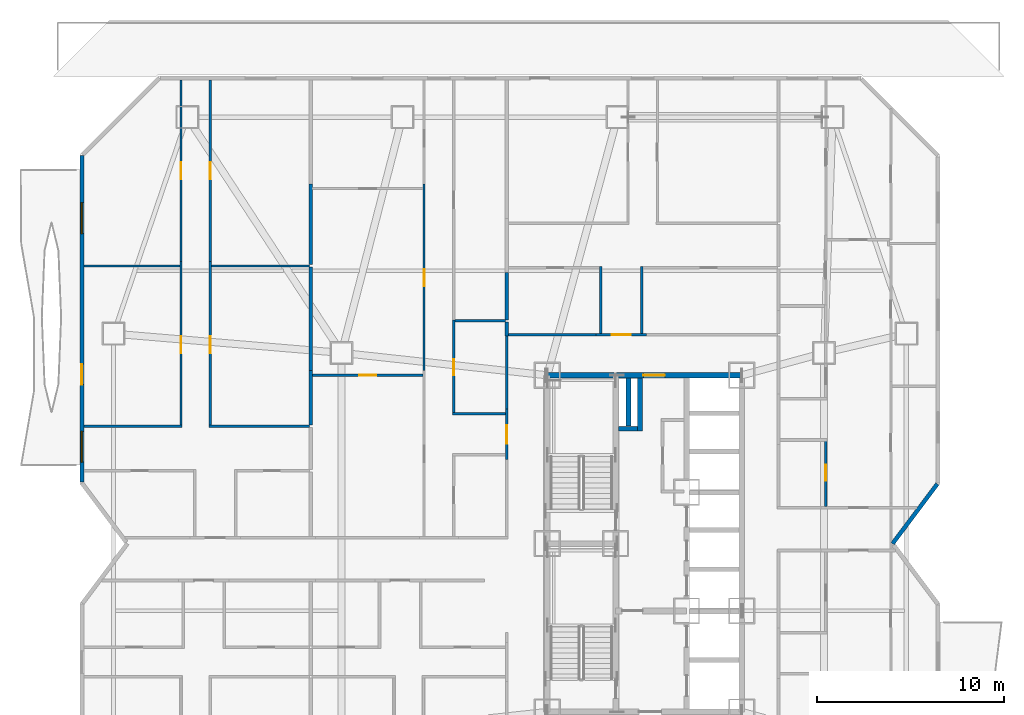
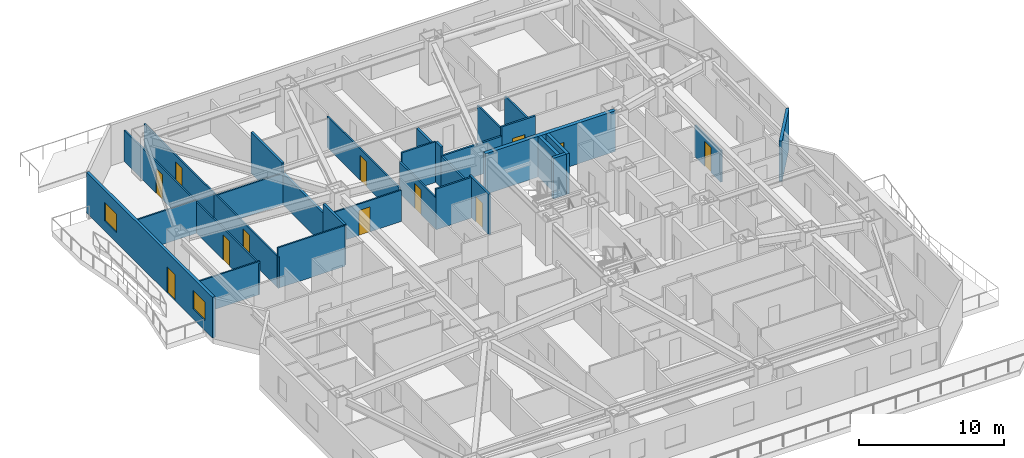
# One storey, part 13 of 18: 31 walls, 12 doors, 2 windows, 14 openings.
"""IFC4 building model written with IfcOpenShell, lengths in metres."""

import ifcopenshell
import ifcopenshell.guid

model = None  # the IFC model being written
_history = None  # IfcOwnerHistory: only IFC2X3 demands one
_inside = {}  # id of a spatial element -> (the spatial element, [elements in it])
_under = {}  # id of a project, library or spatial element -> (it, [spatial elements below it])
_declared = {}  # id of a project -> (the project, [libraries it declares])
_typed = {}  # id of a type object -> (the type object, [elements of that type])
_made_of = {}  # id of a material, layer set ... -> (it, [elements and type objects made of it])


def new_model(schema):
    """Start an empty IFC model of exactly this schema.

    Asked for "IFC4X3", IfcOpenShell would pick the latest addendum, in which some entities
    have other attributes; the version numbers below select the first issue.
    IFC2X3 requires an IfcOwnerHistory on every rooted entity: one is made here for all.
    """
    global model, _history
    if schema == "IFC4X3":
        model = ifcopenshell.file(schema_version=(4, 3, 0, 0))
    else:
        model = ifcopenshell.file(schema=schema)
    _inside.clear()
    _under.clear()
    _declared.clear()
    _typed.clear()
    _made_of.clear()
    _history = None
    if model.schema == "IFC2X3":
        org = make("IfcOrganization", Name="unknown")
        user = make(
            "IfcPersonAndOrganization",
            ThePerson=make("IfcPerson", FamilyName="unknown"),
            TheOrganization=org,
        )
        app = make(
            "IfcApplication",
            ApplicationDeveloper=org,
            Version="unknown",
            ApplicationFullName="unknown",
            ApplicationIdentifier="unknown",
        )
        _history = make(
            "IfcOwnerHistory",
            OwningUser=user,
            OwningApplication=app,
            ChangeAction="ADDED",
            CreationDate=0,
        )
    return model


def make(cls, **values):
    """One entity of the class cls with the attributes given. An attribute that is None is left unset."""
    return model.create_entity(
        cls, **{name: value for name, value in values.items() if value is not None}
    )


def rooted(cls, **values):
    """An entity with a GlobalId (a new one), such as an element, a storey or a relation."""
    return make(cls, GlobalId=ifcopenshell.guid.new(), OwnerHistory=_history, **values)


def si_unit(unit_type, name, prefix=None):
    """IfcSIUnit, for example si_unit("LENGTHUNIT", "METRE", prefix="MILLI")."""
    return make("IfcSIUnit", UnitType=unit_type, Prefix=prefix, Name=name)


def assignment(units):
    """IfcUnitAssignment: the units of a project."""
    return None if units is None else make("IfcUnitAssignment", Units=units)


def point(xyz):
    """IfcCartesianPoint."""
    return None if xyz is None else make("IfcCartesianPoint", Coordinates=xyz)


def direction(xyz):
    """IfcDirection."""
    return None if xyz is None else make("IfcDirection", DirectionRatios=xyz)


def frame(location, z_axis=None, x_axis=None):
    """IfcAxis2Placement3D, a coordinate frame: its origin and axes. An axis left out is left unset."""
    return make(
        "IfcAxis2Placement3D",
        Location=point(location),
        Axis=direction(z_axis),
        RefDirection=direction(x_axis),
    )


def frame_2d(location, x_axis=None):
    """IfcAxis2Placement2D, a coordinate frame in the plane: its origin and x axis."""
    return make(
        "IfcAxis2Placement2D", Location=point(location), RefDirection=direction(x_axis)
    )


def origin():
    """The frame at (0, 0, 0) with its axes left unset."""
    return frame((0.0, 0.0, 0.0))


def place(relative_to, where):
    """IfcLocalPlacement: puts the frame where relative to a parent placement (None: the world)."""
    return make(
        "IfcLocalPlacement", PlacementRelTo=relative_to, RelativePlacement=where
    )


def context(
    kind, dimensions, precision=None, world=None, true_north=None, identifier=None
):
    """IfcGeometricRepresentationContext, for example the 3D "Model" context."""
    return make(
        "IfcGeometricRepresentationContext",
        ContextIdentifier=identifier,
        ContextType=kind,
        CoordinateSpaceDimension=dimensions,
        Precision=precision,
        WorldCoordinateSystem=world,
        TrueNorth=true_north,
    )


def subcontext(parent, identifier, kind, view, scale=None):
    """IfcGeometricRepresentationSubContext, for example "Body" below "Model"."""
    return make(
        "IfcGeometricRepresentationSubContext",
        ContextIdentifier=identifier,
        ContextType=kind,
        ParentContext=parent,
        TargetScale=scale,
        TargetView=view,
    )


def project(units=None, contexts=None):
    """IfcProject with its units and contexts."""
    return rooted(
        "IfcProject",
        Name="project",
        RepresentationContexts=contexts,
        UnitsInContext=assignment(units),
    )


def spatial(cls, under=None, at=None, **own):
    """A site, building, storey or space (cls), placed at a placement, below another one or the project."""
    s = rooted(cls, ObjectPlacement=at, **own)
    if under is not None:
        _under.setdefault(under.id(), (under, []))[1].append(s)
    return s


def profile(cls, at=None, kind="AREA", **sizes):
    """A parametric profile (cls). Its sizes go by their IFC names, for example OverallWidth=200.0."""
    return make(cls, ProfileType=kind, Position=at, **sizes)


def rectangle(**sizes):
    """IfcRectangleProfileDef."""
    return profile("IfcRectangleProfileDef", **sizes)


def extrude(swept, where, along, depth):
    """IfcExtrudedAreaSolid: the profile swept, set in the frame where, extruded along a direction by depth."""
    return make(
        "IfcExtrudedAreaSolid",
        SweptArea=swept,
        Position=where,
        ExtrudedDirection=direction(along),
        Depth=depth,
    )


def shape(context_of_items, identifier, shape_type, items):
    """IfcShapeRepresentation: the items that make up one representation, for example the "Body"."""
    return make(
        "IfcShapeRepresentation",
        ContextOfItems=context_of_items,
        RepresentationIdentifier=identifier,
        RepresentationType=shape_type,
        Items=items,
    )


def material(Name=None, Category=None):
    """IfcMaterial."""
    return make("IfcMaterial", Name=Name, Category=Category)


def layer(
    of_material, thickness, ventilated=None, Name=None, Category=None, Priority=None
):
    """IfcMaterialLayer: one layer of a wall or slab, of a material (None: an air gap)."""
    return make(
        "IfcMaterialLayer",
        Material=of_material,
        LayerThickness=thickness,
        IsVentilated=ventilated,
        Name=Name,
        Category=Category,
        Priority=Priority,
    )


def layer_set(layers, Name=None):
    """IfcMaterialLayerSet."""
    return make("IfcMaterialLayerSet", MaterialLayers=layers, LayerSetName=Name)


def made_of(thing, what):
    """Note that an element or type object is made of a material, layer set ...; save() writes the relation."""
    if what is not None:
        _made_of.setdefault(what.id(), (what, []))[1].append(thing)
    return thing


def type_object(cls, material=None, **own):
    """A type object (cls), such as IfcWallType, which elements share."""
    return made_of(rooted(cls, **own), material)


def element(
    cls,
    number,
    at=None,
    inside=None,
    cuts=None,
    type_object=None,
    material=None,
    context=None,
    identifier="Body",
    shape_type=None,
    held_by="IfcProductDefinitionShape",
    body=None,
    shapes=None,
    **own,
):
    """One element of the class cls, such as IfcWall. Its Tag is "e" and its number.

    at: its placement. inside: the storey or other place that contains it. cuts: it is an
    opening in that element (IfcRelVoidsElement). A single representation is given by context,
    identifier, shape_type and body (its items); several are given by shapes. held_by: the class
    of the entity that holds the representations. save() writes the other relations.
    """
    e = rooted(cls, Tag="e%d" % number, ObjectPlacement=at, **own)
    if body is not None:
        shapes = [shape(context, identifier, shape_type, body)]
    if shapes is not None:
        e.Representation = make(held_by, Representations=shapes)
    if inside is not None:
        _inside.setdefault(inside.id(), (inside, []))[1].append(e)
    if cuts is not None:
        rooted(
            "IfcRelVoidsElement", RelatingBuildingElement=cuts, RelatedOpeningElement=e
        )
    if type_object is not None:
        _typed.setdefault(type_object.id(), (type_object, []))[1].append(e)
    return made_of(e, material)


def fill(opening, filler):
    """IfcRelFillsElement: the door or window that sits in an opening."""
    return rooted(
        "IfcRelFillsElement",
        RelatingOpeningElement=opening,
        RelatedBuildingElement=filler,
    )


def aggregate(whole, parts):
    """IfcRelAggregates: a whole, such as a stair, and the parts it consists of."""
    return rooted("IfcRelAggregates", RelatingObject=whole, RelatedObjects=parts)


def save(model, path):
    """Write the relations noted so far, then the file.

    IfcRelAggregates (storeys below a building ...), IfcRelContainedInSpatialStructure (elements
    in a storey), IfcRelDefinesByType, IfcRelAssociatesMaterial and IfcRelDeclares: one each for
    every whole, place, type object, material and project.
    """
    for whole, parts in _under.values():
        aggregate(whole, parts)
    for where, things in _inside.values():
        rooted(
            "IfcRelContainedInSpatialStructure",
            RelatedElements=things,
            RelatingStructure=where,
        )
    for kind, things in _typed.values():
        rooted("IfcRelDefinesByType", RelatedObjects=things, RelatingType=kind)
    for what, things in _made_of.values():
        rooted("IfcRelAssociatesMaterial", RelatedObjects=things, RelatingMaterial=what)
    for by, libraries in _declared.values():
        rooted("IfcRelDeclares", RelatingContext=by, RelatedDefinitions=libraries)
    model.write(path)


model = new_model("IFC4")

# Units and contexts
model_context = context("Model", 3, precision=1e-05, world=origin(), true_north=direction((0.0, 1.0)))
body_context = subcontext(model_context, "Body", "Model", "MODEL_VIEW")
ifc_project = project(units=[si_unit("LENGTHUNIT", "METRE"), si_unit("AREAUNIT", "SQUARE_METRE"), si_unit("VOLUMEUNIT", "CUBIC_METRE"), si_unit("PLANEANGLEUNIT", "RADIAN"), si_unit("MASSUNIT", "GRAM", prefix="KILO")], contexts=[model_context])

# Site, building, storey
site_placement = place(None, origin())
site = spatial("IfcSite", under=ifc_project, at=site_placement, CompositionType="ELEMENT")
building_placement = place(site_placement, origin())
building = spatial("IfcBuilding", under=site, at=building_placement, Name="Khamvora Tower", CompositionType="ELEMENT")
storey_placement = place(building_placement, frame((0.0, 0.0, 33.300048828125)))
storey = spatial("IfcBuildingStorey", under=building, at=storey_placement, Name="L07", CompositionType="ELEMENT", Elevation=33.300048828125)

# Wall, opening, door
ifc_material_1 = material(Name="Concrete C50/60", Category="concrete")
ifc_layer_1 = layer(ifc_material_1, 0.300048828125)
ifc_layer_set_1 = layer_set([ifc_layer_1], Name="Concrete C50/60")
wall_type_1 = type_object("IfcWallType", Name="WAL-CORE-300", PredefinedType="SHEAR", material=ifc_layer_set_1)
wall_1_placement = place(storey_placement, frame((29.0, 37.0, 0.0), z_axis=(0.0, 0.0, 1.0), x_axis=(1.0, 0.0, 0.0)))
wall_1 = element("IfcWall", 1, at=wall_1_placement, inside=storey, type_object=wall_type_1, Name="L07 central core north wall", PredefinedType="SHEAR", context=body_context, shape_type="SweptSolid", body=[
    extrude(rectangle(XDim=10.39990234375, YDim=0.300048828125, at=frame_2d((5.199951171875, 0.0))), origin(), (0.0, 0.0, 1.0), 3.429931640625),
])
opening_1_placement = place(wall_1_placement, frame((5.139892578125, 0.0, 0.0)))
opening_1 = element("IfcOpeningElement", 2, at=opening_1_placement, cuts=wall_1, Name="Opening D-SC1", PredefinedType="OPENING", context=body_context, shape_type="SweptSolid", body=[
    extrude(rectangle(XDim=1.14990234375, YDim=2.199951171875, at=frame_2d((0.574951171875, 1.10009765625))), frame((0.0, 0.159912109375, 0.0), z_axis=(0.0, -1.0, 0.0), x_axis=(1.0, 0.0, 0.0)), (0.0, 0.0, 1.0), 0.320068359375),
])
ifc_material_2 = material(Name="Powder-Coated Steel and Hardwood Leaf", Category="steel")
door_type_1 = type_object("IfcDoorType", Name="DOR-SCHL-1150", OperationType="NOTDEFINED", PredefinedType="DOOR", material=ifc_material_2)
door_1_placement = place(opening_1_placement, origin())
door_1 = element("IfcDoor", 3, at=door_1_placement, inside=storey, type_object=door_type_1, Name="L07 north core lobby to corridor fire door", OperationType="SINGLE_SWING_RIGHT", OverallHeight=2.199951171875, OverallWidth=1.14990234375, PredefinedType="DOOR", context=body_context, shape_type="SweptSolid", body=[
    extrude(rectangle(XDim=1.14990234375, YDim=2.199951171875, at=frame_2d((0.574951171875, 1.10009765625))), frame((0.0, 0.02490234375, 0.0), z_axis=(0.0, -1.0, 0.0), x_axis=(1.0, 0.0, 0.0)), (0.0, 0.0, 1.0), 0.050048828125),
])
fill(opening_1, door_1)

ifc_material_3 = material(Name="Fire-Rated Drywall and Steel Stud", Category="steel")
ifc_layer_2 = layer(ifc_material_3, 0.14990234375)
ifc_layer_set_2 = layer_set([ifc_layer_2], Name="Fire-Rated Drywall and Steel Stud")
wall_type_2 = type_object("IfcWallType", Name="WAL-CORR-150", PredefinedType="STANDARD", material=ifc_layer_set_2)
wall_2_placement = place(storey_placement, frame((26.8349609375, 32.491943359375, 0.0), z_axis=(0.0, 0.0, 1.0), x_axis=(0.0, 1.0, 0.0)))
wall_2 = element("IfcWall", 4, at=wall_2_placement, inside=storey, type_object=wall_type_2, Name="L07 interior partition wall 017", PredefinedType="STANDARD", context=body_context, shape_type="SweptSolid", body=[
    extrude(rectangle(XDim=2.697998046875, YDim=0.14990234375, at=frame_2d((1.34912109375, 0.0))), origin(), (0.0, 0.0, 1.0), 3.429931640625),
])
opening_2_placement = place(wall_2_placement, frame((0.84912109375, 0.0, 0.0)))
opening_2 = element("IfcOpeningElement", 5, at=opening_2_placement, cuts=wall_2, Name="Opening D-U1", PredefinedType="OPENING", context=body_context, shape_type="SweptSolid", body=[
    extrude(rectangle(XDim=1.0, YDim=2.14990234375, at=frame_2d((0.5, 1.074951171875))), frame((0.0, 0.0849609375, 0.0), z_axis=(0.0, -1.0, 0.0), x_axis=(1.0, 0.0, 0.0)), (0.0, 0.0, 1.0), 0.169921875),
])
door_type_2 = type_object("IfcDoorType", Name="DOR-UNIT-1000", OperationType="NOTDEFINED", PredefinedType="DOOR", material=ifc_material_2)
door_2_placement = place(opening_2_placement, origin())
door_2 = element("IfcDoor", 6, at=door_2_placement, inside=storey, type_object=door_type_2, Name="L07 interior door COR-07WB2H", OperationType="SINGLE_SWING_LEFT", OverallHeight=2.14990234375, OverallWidth=1.0, PredefinedType="DOOR", context=body_context, shape_type="SweptSolid", body=[
    extrude(rectangle(XDim=1.0, YDim=2.14990234375, at=frame_2d((0.5, 1.074951171875))), frame((0.0, 0.02490234375, 0.0), z_axis=(0.0, -1.0, 0.0), x_axis=(1.0, 0.0, 0.0)), (0.0, 0.0, 1.0), 0.050048828125),
])
fill(opening_2, door_2)

# Wall
wall_3_placement = place(storey_placement, frame((26.8349609375, 35.18994140625, 0.0), z_axis=(0.0, 0.0, 1.0), x_axis=(0.0, 1.0, 0.0)))
element("IfcWall", 7, at=wall_3_placement, inside=storey, type_object=wall_type_2, Name="L07 interior partition wall 020", PredefinedType="STANDARD", context=body_context, shape_type="SweptSolid", body=[
    extrude(rectangle(XDim=3.91015625, YDim=0.14990234375, at=frame_2d((1.955078125, 0.0))), origin(), (0.0, 0.0, 1.0), 2.64697265625),
])

# Wall, opening, door
wall_4_placement = place(storey_placement, frame((31.60107421875, 39.1650390625, 0.0), z_axis=(0.0, 0.0, 1.0), x_axis=(1.0, 0.0, 0.0)))
wall_4 = element("IfcWall", 8, at=wall_4_placement, inside=storey, type_object=wall_type_2, Name="L07 interior partition wall 025", PredefinedType="STANDARD", context=body_context, shape_type="SweptSolid", body=[
    extrude(rectangle(XDim=2.697998046875, YDim=0.14990234375, at=frame_2d((1.34912109375, 0.0))), origin(), (0.0, 0.0, 1.0), 3.429931640625),
])
opening_3_placement = place(wall_4_placement, frame((0.84912109375, 0.0, 0.0)))
opening_3 = element("IfcOpeningElement", 9, at=opening_3_placement, cuts=wall_4, Name="Opening D-U1", PredefinedType="OPENING", context=body_context, shape_type="SweptSolid", body=[
    extrude(rectangle(XDim=1.0, YDim=2.14990234375, at=frame_2d((0.5, 1.074951171875))), frame((0.0, 0.0849609375, 0.0), z_axis=(0.0, -1.0, 0.0), x_axis=(1.0, 0.0, 0.0)), (0.0, 0.0, 1.0), 0.169921875),
])
door_3_placement = place(opening_3_placement, origin())
door_3 = element("IfcDoor", 10, at=door_3_placement, inside=storey, type_object=door_type_2, Name="L07 interior door COR-07NAH", OperationType="SINGLE_SWING_LEFT", OverallHeight=2.14990234375, OverallWidth=1.0, PredefinedType="DOOR", context=body_context, shape_type="SweptSolid", body=[
    extrude(rectangle(XDim=1.0, YDim=2.14990234375, at=frame_2d((0.5, 1.074951171875))), frame((0.0, 0.02490234375, 0.0), z_axis=(0.0, -1.0, 0.0), x_axis=(1.0, 0.0, 0.0)), (0.0, 0.0, 1.0), 0.050048828125),
])
fill(opening_3, door_3)

# Walls
wall_5_placement = place(storey_placement, frame((26.89990234375, 39.1650390625, 0.0), z_axis=(0.0, 0.0, 1.0), x_axis=(1.0, 0.0, 0.0)))
element("IfcWall", 11, at=wall_5_placement, inside=storey, type_object=wall_type_2, Name="L07 interior partition wall 026", PredefinedType="STANDARD", context=body_context, shape_type="SweptSolid", body=[
    extrude(rectangle(XDim=4.701171875, YDim=0.14990234375, at=frame_2d((2.3505859375, 0.0))), origin(), (0.0, 0.0, 1.0), 2.64697265625),
])
ifc_material_4 = material(Name="Acoustic Double-Stud Fire Wall", Category="gypsum")
ifc_layer_3 = layer(ifc_material_4, 0.179931640625)
ifc_layer_set_3 = layer_set([ifc_layer_3], Name="Acoustic Double-Stud Fire Wall")
wall_type_3 = type_object("IfcWallType", Name="WAL-CORR-180", PredefinedType="STANDARD", material=ifc_layer_set_3)
wall_6_placement = place(storey_placement, frame((16.345947265625, 37.251953125, 0.0), z_axis=(0.0, 0.0, 1.0), x_axis=(0.0, -1.0, 0.0)))
element("IfcWall", 12, at=wall_6_placement, inside=storey, type_object=wall_type_3, Name="L07 interior partition wall 087", PredefinedType="STANDARD", context=body_context, shape_type="SweptSolid", body=[
    extrude(rectangle(XDim=2.911865234375, YDim=0.179931640625, at=frame_2d((1.4560546875, 0.0))), origin(), (0.0, 0.0, 1.0), 3.429931640625),
])
wall_7_placement = place(storey_placement, frame((16.345947265625, 42.782958984375, 0.0), z_axis=(0.0, 0.0, 1.0), x_axis=(0.0, -1.0, 0.0)))
element("IfcWall", 13, at=wall_7_placement, inside=storey, type_object=wall_type_3, Name="L07 interior partition wall 088", PredefinedType="STANDARD", context=body_context, shape_type="SweptSolid", body=[
    extrude(rectangle(XDim=5.531005859375, YDim=0.179931640625, at=frame_2d((2.765625, 0.0))), origin(), (0.0, 0.0, 1.0), 2.64697265625),
])
wall_8_placement = place(storey_placement, frame((16.345947265625, 47.23291015625, 0.0), z_axis=(0.0, 0.0, 1.0), x_axis=(0.0, -1.0, 0.0)))
element("IfcWall", 14, at=wall_8_placement, inside=storey, type_object=wall_type_3, Name="L07 interior partition wall 089", PredefinedType="STANDARD", context=body_context, shape_type="SweptSolid", body=[
    extrude(rectangle(XDim=4.31982421875, YDim=0.179931640625, at=frame_2d((2.159912109375, 0.0))), origin(), (0.0, 0.0, 1.0), 3.429931640625),
])
wall_9_placement = place(storey_placement, frame((26.8349609375, 42.49609375, 0.0), z_axis=(0.0, 0.0, 1.0), x_axis=(0.0, -1.0, 0.0)))
element("IfcWall", 15, at=wall_9_placement, inside=storey, type_object=wall_type_3, Name="L07 interior partition wall 094", PredefinedType="STANDARD", context=body_context, shape_type="SweptSolid", body=[
    extrude(rectangle(XDim=2.525146484375, YDim=0.179931640625, at=frame_2d((1.2626953125, 0.0))), origin(), (0.0, 0.0, 1.0), 2.95703125),
])
wall_10_placement = place(storey_placement, frame((26.8349609375, 39.841064453125, 0.0), z_axis=(0.0, 0.0, 1.0), x_axis=(0.0, -1.0, 0.0)))
element("IfcWall", 16, at=wall_10_placement, inside=storey, type_object=wall_type_3, Name="L07 interior partition wall 103", PredefinedType="STANDARD", context=body_context, shape_type="SweptSolid", body=[
    extrude(rectangle(XDim=0.740966796875, YDim=0.179931640625, at=frame_2d((0.37060546875, 0.0))), origin(), (0.0, 0.0, 1.0), 3.429931640625),
])

# Wall, openings, door, windows
ifc_material_5 = material(Name="Precast concrete C40/50", Category="concrete")
ifc_layer_4 = layer(ifc_material_5, 0.219970703125)
ifc_layer_set_4 = layer_set([ifc_layer_4], Name="Precast concrete C40/50")
wall_type_4 = type_object("IfcWallType", Name="WAL-EXT-220", PredefinedType="STANDARD", material=ifc_layer_set_4)
wall_11_placement = place(storey_placement, frame((4.110107421875, 31.294921875, 0.0), z_axis=(0.0, 0.0, 1.0), x_axis=(0.0, 1.0, 0.0)))
wall_11 = element("IfcWall", 17, at=wall_11_placement, inside=storey, type_object=wall_type_4, Name="L07 exterior facade wall 05.1", PredefinedType="STANDARD", context=body_context, shape_type="SweptSolid", body=[
    extrude(rectangle(XDim=17.458984375, YDim=0.219970703125, at=frame_2d((8.7294921875, 0.0))), origin(), (0.0, 0.0, 1.0), 3.429931640625),
])
opening_4_placement = place(wall_11_placement, frame((5.202880859375, 0.0, 0.0)))
opening_4 = element("IfcOpeningElement", 18, at=opening_4_placement, cuts=wall_11, Name="Opening BD-01", PredefinedType="OPENING", context=body_context, shape_type="SweptSolid", body=[
    extrude(rectangle(XDim=1.10009765625, YDim=2.199951171875, at=frame_2d((0.550048828125, 1.10009765625))), frame((0.0, 0.119873046875, 0.0), z_axis=(0.0, -1.0, 0.0), x_axis=(1.0, 0.0, 0.0)), (0.0, 0.0, 1.0), 0.239990234375),
])
opening_5_placement = place(wall_11_placement, frame((1.05810546875, 0.0, 0.85009765625)))
opening_5 = element("IfcOpeningElement", 19, at=opening_5_placement, cuts=wall_11, Name="Opening WN-06", PredefinedType="OPENING", context=body_context, shape_type="SweptSolid", body=[
    extrude(rectangle(XDim=1.64990234375, YDim=1.550048828125, at=frame_2d((0.824951171875, 0.77490234375))), frame((0.0, 0.119873046875, 0.0), z_axis=(0.0, -1.0, 0.0), x_axis=(1.0, 0.0, 0.0)), (0.0, 0.0, 1.0), 0.239990234375),
])
opening_6_placement = place(wall_11_placement, frame((13.2880859375, 0.0, 0.85009765625)))
opening_6 = element("IfcOpeningElement", 20, at=opening_6_placement, cuts=wall_11, Name="Opening WN-06", PredefinedType="OPENING", context=body_context, shape_type="SweptSolid", body=[
    extrude(rectangle(XDim=1.64990234375, YDim=1.550048828125, at=frame_2d((0.824951171875, 0.77490234375))), frame((0.0, 0.119873046875, 0.0), z_axis=(0.0, -1.0, 0.0), x_axis=(1.0, 0.0, 0.0)), (0.0, 0.0, 1.0), 0.239990234375),
])
ifc_material_6 = material(Name="Anodised Aluminium and Laminated Safety Glass", Category="aluminium")
door_type_3 = type_object("IfcDoorType", Name="DOR-BAL-1100", OperationType="NOTDEFINED", PredefinedType="DOOR", material=ifc_material_6)
door_4_placement = place(opening_4_placement, origin())
door_4 = element("IfcDoor", 21, at=door_4_placement, inside=storey, type_object=door_type_3, Name="L07 lens gallery balcony door WL2", OperationType="SLIDING_TO_LEFT", OverallHeight=2.199951171875, OverallWidth=1.10009765625, PredefinedType="DOOR", context=body_context, shape_type="SweptSolid", body=[
    extrude(rectangle(XDim=1.10009765625, YDim=2.199951171875, at=frame_2d((0.550048828125, 1.10009765625))), frame((0.0, 0.02490234375, 0.0), z_axis=(0.0, -1.0, 0.0), x_axis=(1.0, 0.0, 0.0)), (0.0, 0.0, 1.0), 0.050048828125),
])
fill(opening_4, door_4)
ifc_material_7 = material(Name="Low-E Laminated Double Glazing", Category="glass")
window_type = type_object("IfcWindowType", Name="WIN-VIS-1650x1550", PartitioningType="SINGLE_PANEL", PredefinedType="WINDOW", material=ifc_material_7)
window_1_placement = place(opening_5_placement, origin())
window_1 = element("IfcWindow", 22, at=window_1_placement, inside=storey, type_object=window_type, Name="L07 vision window 05.1.01", OverallHeight=1.550048828125, OverallWidth=1.64990234375, PartitioningType="SINGLE_PANEL", PredefinedType="WINDOW", context=body_context, shape_type="SweptSolid", body=[
    extrude(rectangle(XDim=1.64990234375, YDim=1.550048828125, at=frame_2d((0.824951171875, 0.77490234375))), frame((0.0, 0.030029296875, 0.0), z_axis=(0.0, -1.0, 0.0), x_axis=(1.0, 0.0, 0.0)), (0.0, 0.0, 1.0), 0.06005859375),
])
fill(opening_5, window_1)
window_2_placement = place(opening_6_placement, origin())
window_2 = element("IfcWindow", 23, at=window_2_placement, inside=storey, type_object=window_type, Name="L07 vision window 05.1.02", OverallHeight=1.550048828125, OverallWidth=1.64990234375, PartitioningType="SINGLE_PANEL", PredefinedType="WINDOW", context=body_context, shape_type="SweptSolid", body=[
    extrude(rectangle(XDim=1.64990234375, YDim=1.550048828125, at=frame_2d((0.824951171875, 0.77490234375))), frame((0.0, 0.030029296875, 0.0), z_axis=(0.0, -1.0, 0.0), x_axis=(1.0, 0.0, 0.0)), (0.0, 0.0, 1.0), 0.06005859375),
])
fill(opening_6, window_2)

# Walls
wall_12_placement = place(storey_placement, frame((49.85595703125, 31.19091796875, 0.0), z_axis=(0.0, 0.0, 1.0), x_axis=(-0.600137081448, -0.799897170561, 0.0)))
element("IfcWall", 24, at=wall_12_placement, inside=storey, type_object=wall_type_4, Name="L07 exterior facade wall 10.1", PredefinedType="STANDARD", context=body_context, shape_type="SweptSolid", body=[
    extrude(rectangle(XDim=3.9892578125, YDim=0.219970703125, at=frame_2d((1.99462890625, 0.0))), origin(), (0.0, 0.0, 1.0), 3.429931640625),
])
ifc_material_8 = material(Name="Gypsum Plasterboard Partition", Category="gypsum")
ifc_layer_5 = layer(ifc_material_8, 0.1201171875)
ifc_layer_set_5 = layer_set([ifc_layer_5], Name="Gypsum Plasterboard Partition")
wall_type_5 = type_object("IfcWallType", Name="WAL-PART-120", PredefinedType="PARTITIONING", material=ifc_layer_set_5)
wall_13_placement = place(storey_placement, frame((4.2119140625, 34.27490234375, 0.0), z_axis=(0.0, 0.0, 1.0), x_axis=(1.0, 0.0, 0.0)))
element("IfcWall", 25, at=wall_13_placement, inside=storey, type_object=wall_type_5, Name="L07 interior partition wall 077", PredefinedType="PARTITIONING", context=body_context, shape_type="SweptSolid", body=[
    extrude(rectangle(XDim=5.26416015625, YDim=0.1201171875, at=frame_2d((2.632080078125, 0.0))), origin(), (0.0, 0.0, 1.0), 2.802978515625),
])

# Wall, opening, door
wall_14_placement = place(storey_placement, frame((9.410888671875, 34.2099609375, 0.0), z_axis=(0.0, 0.0, 1.0), x_axis=(0.0, 1.0, 0.0)))
wall_14 = element("IfcWall", 26, at=wall_14_placement, inside=storey, type_object=wall_type_5, Name="L07 interior partition wall 078", PredefinedType="PARTITIONING", context=body_context, shape_type="SweptSolid", body=[
    extrude(rectangle(XDim=8.886962890625, YDim=0.1201171875, at=frame_2d((4.443359375, 0.0))), origin(), (0.0, 0.0, 1.0), 2.64697265625),
])
opening_7_placement = place(wall_14_placement, frame((3.972900390625, 0.0, 0.0)))
opening_7 = element("IfcOpeningElement", 27, at=opening_7_placement, cuts=wall_14, Name="Opening D-RM1", PredefinedType="OPENING", context=body_context, shape_type="SweptSolid", body=[
    extrude(rectangle(XDim=0.89990234375, YDim=2.10009765625, at=frame_2d((0.449951171875, 1.050048828125))), frame((0.0, 0.070068359375, 0.0), z_axis=(0.0, -1.0, 0.0), x_axis=(1.0, 0.0, 0.0)), (0.0, 0.0, 1.0), 0.14013671875),
])
door_type_4 = type_object("IfcDoorType", Name="DOR-ROOM-900", OperationType="NOTDEFINED", PredefinedType="DOOR", material=ifc_material_2)
door_5_placement = place(opening_7_placement, origin())
door_5 = element("IfcDoor", 28, at=door_5_placement, inside=storey, type_object=door_type_4, Name="L07 interior door 07WB1H-07WB1R1", OperationType="SINGLE_SWING_RIGHT", OverallHeight=2.10009765625, OverallWidth=0.89990234375, PredefinedType="DOOR", context=body_context, shape_type="SweptSolid", body=[
    extrude(rectangle(XDim=0.89990234375, YDim=2.10009765625, at=frame_2d((0.449951171875, 1.050048828125))), frame((0.0, 0.02490234375, 0.0), z_axis=(0.0, -1.0, 0.0), x_axis=(1.0, 0.0, 0.0)), (0.0, 0.0, 1.0), 0.050048828125),
])
fill(opening_7, door_5)

wall_15_placement = place(storey_placement, frame((9.410888671875, 43.096923828125, 0.0), z_axis=(0.0, 0.0, 1.0), x_axis=(0.0, 1.0, 0.0)))
wall_15 = element("IfcWall", 29, at=wall_15_placement, inside=storey, type_object=wall_type_5, Name="L07 interior partition wall 079", PredefinedType="PARTITIONING", context=body_context, shape_type="SweptSolid", body=[
    extrude(rectangle(XDim=9.691162109375, YDim=0.1201171875, at=frame_2d((4.845703125, 0.0))), origin(), (0.0, 0.0, 1.0), 2.64697265625),
])
opening_8_placement = place(wall_15_placement, frame((4.39599609375, 0.0, 0.0)))
opening_8 = element("IfcOpeningElement", 30, at=opening_8_placement, cuts=wall_15, Name="Opening D-RM1", PredefinedType="OPENING", context=body_context, shape_type="SweptSolid", body=[
    extrude(rectangle(XDim=0.89990234375, YDim=2.10009765625, at=frame_2d((0.449951171875, 1.050048828125))), frame((0.0, 0.070068359375, 0.0), z_axis=(0.0, -1.0, 0.0), x_axis=(1.0, 0.0, 0.0)), (0.0, 0.0, 1.0), 0.14013671875),
])
door_6_placement = place(opening_8_placement, origin())
door_6 = element("IfcDoor", 31, at=door_6_placement, inside=storey, type_object=door_type_4, Name="L07 interior door 07WB1H-07WB1R2", OperationType="SINGLE_SWING_LEFT", OverallHeight=2.10009765625, OverallWidth=0.89990234375, PredefinedType="DOOR", context=body_context, shape_type="SweptSolid", body=[
    extrude(rectangle(XDim=0.89990234375, YDim=2.10009765625, at=frame_2d((0.449951171875, 1.050048828125))), frame((0.0, 0.02490234375, 0.0), z_axis=(0.0, -1.0, 0.0), x_axis=(1.0, 0.0, 0.0)), (0.0, 0.0, 1.0), 0.050048828125),
])
fill(opening_8, door_6)

wall_16_placement = place(storey_placement, frame((10.98095703125, 43.096923828125, 0.0), z_axis=(0.0, 0.0, 1.0), x_axis=(0.0, -1.0, 0.0)))
wall_16 = element("IfcWall", 32, at=wall_16_placement, inside=storey, type_object=wall_type_5, Name="L07 interior partition wall 080", PredefinedType="PARTITIONING", context=body_context, shape_type="SweptSolid", body=[
    extrude(rectangle(XDim=8.886962890625, YDim=0.1201171875, at=frame_2d((4.443359375, 0.0))), origin(), (0.0, 0.0, 1.0), 2.64697265625),
])
opening_9_placement = place(wall_16_placement, frame((4.013916015625, 0.0, 0.0)))
opening_9 = element("IfcOpeningElement", 33, at=opening_9_placement, cuts=wall_16, Name="Opening D-RM1", PredefinedType="OPENING", context=body_context, shape_type="SweptSolid", body=[
    extrude(rectangle(XDim=0.89990234375, YDim=2.10009765625, at=frame_2d((0.449951171875, 1.050048828125))), frame((0.0, 0.070068359375, 0.0), z_axis=(0.0, -1.0, 0.0), x_axis=(1.0, 0.0, 0.0)), (0.0, 0.0, 1.0), 0.14013671875),
])
door_7_placement = place(opening_9_placement, origin())
door_7 = element("IfcDoor", 34, at=door_7_placement, inside=storey, type_object=door_type_4, Name="L07 interior door 07WB1H-07WB1R3", OperationType="SINGLE_SWING_RIGHT", OverallHeight=2.10009765625, OverallWidth=0.89990234375, PredefinedType="DOOR", context=body_context, shape_type="SweptSolid", body=[
    extrude(rectangle(XDim=0.89990234375, YDim=2.10009765625, at=frame_2d((0.449951171875, 1.050048828125))), frame((0.0, 0.02490234375, 0.0), z_axis=(0.0, -1.0, 0.0), x_axis=(1.0, 0.0, 0.0)), (0.0, 0.0, 1.0), 0.050048828125),
])
fill(opening_9, door_7)

# Wall
wall_17_placement = place(storey_placement, frame((10.916015625, 34.27490234375, 0.0), z_axis=(0.0, 0.0, 1.0), x_axis=(1.0, 0.0, 0.0)))
element("IfcWall", 35, at=wall_17_placement, inside=storey, type_object=wall_type_5, Name="L07 interior partition wall 081", PredefinedType="PARTITIONING", context=body_context, shape_type="SweptSolid", body=[
    extrude(rectangle(XDim=5.364990234375, YDim=0.1201171875, at=frame_2d((2.6826171875, 0.0))), origin(), (0.0, 0.0, 1.0), 3.429931640625),
])

# Wall, opening, door
wall_18_placement = place(storey_placement, frame((10.98095703125, 52.7880859375, 0.0), z_axis=(0.0, 0.0, 1.0), x_axis=(0.0, -1.0, 0.0)))
wall_18 = element("IfcWall", 36, at=wall_18_placement, inside=storey, type_object=wall_type_5, Name="L07 interior partition wall 082", PredefinedType="PARTITIONING", context=body_context, shape_type="SweptSolid", body=[
    extrude(rectangle(XDim=9.691162109375, YDim=0.1201171875, at=frame_2d((4.845703125, 0.0))), origin(), (0.0, 0.0, 1.0), 2.64697265625),
])
opening_10_placement = place(wall_18_placement, frame((4.39599609375, 0.0, 0.0)))
opening_10 = element("IfcOpeningElement", 37, at=opening_10_placement, cuts=wall_18, Name="Opening D-RM1", PredefinedType="OPENING", context=body_context, shape_type="SweptSolid", body=[
    extrude(rectangle(XDim=0.89990234375, YDim=2.10009765625, at=frame_2d((0.449951171875, 1.050048828125))), frame((0.0, 0.070068359375, 0.0), z_axis=(0.0, -1.0, 0.0), x_axis=(1.0, 0.0, 0.0)), (0.0, 0.0, 1.0), 0.14013671875),
])
door_8_placement = place(opening_10_placement, origin())
door_8 = element("IfcDoor", 38, at=door_8_placement, inside=storey, type_object=door_type_4, Name="L07 interior door 07WB1H-07WB1R4", OperationType="SINGLE_SWING_LEFT", OverallHeight=2.10009765625, OverallWidth=0.89990234375, PredefinedType="DOOR", context=body_context, shape_type="SweptSolid", body=[
    extrude(rectangle(XDim=0.89990234375, YDim=2.10009765625, at=frame_2d((0.449951171875, 1.050048828125))), frame((0.0, 0.02490234375, 0.0), z_axis=(0.0, -1.0, 0.0), x_axis=(1.0, 0.0, 0.0)), (0.0, 0.0, 1.0), 0.050048828125),
])
fill(opening_10, door_8)

# Walls
wall_19_placement = place(storey_placement, frame((4.2119140625, 42.847900390625, 0.0), z_axis=(0.0, 0.0, 1.0), x_axis=(1.0, 0.0, 0.0)))
element("IfcWall", 39, at=wall_19_placement, inside=storey, type_object=wall_type_5, Name="L07 interior partition wall 085", PredefinedType="PARTITIONING", context=body_context, shape_type="SweptSolid", body=[
    extrude(rectangle(XDim=5.14501953125, YDim=0.1201171875, at=frame_2d((2.572509765625, 0.0))), origin(), (0.0, 0.0, 1.0), 2.802978515625),
])
wall_20_placement = place(storey_placement, frame((11.034912109375, 42.847900390625, 0.0), z_axis=(0.0, 0.0, 1.0), x_axis=(1.0, 0.0, 0.0)))
element("IfcWall", 40, at=wall_20_placement, inside=storey, type_object=wall_type_5, Name="L07 interior partition wall 086", PredefinedType="PARTITIONING", context=body_context, shape_type="SweptSolid", body=[
    extrude(rectangle(XDim=5.24609375, YDim=0.1201171875, at=frame_2d((2.623046875, 0.0))), origin(), (0.0, 0.0, 1.0), 2.64697265625),
])

# Wall, opening, door
wall_21_placement = place(storey_placement, frame((22.409912109375, 37.251953125, 0.0), z_axis=(0.0, 0.0, 1.0), x_axis=(0.0, 1.0, 0.0)))
wall_21 = element("IfcWall", 41, at=wall_21_placement, inside=storey, type_object=wall_type_5, Name="L07 interior partition wall 101", PredefinedType="PARTITIONING", context=body_context, shape_type="SweptSolid", body=[
    extrude(rectangle(XDim=9.98095703125, YDim=0.1201171875, at=frame_2d((4.990478515625, 0.0))), origin(), (0.0, 0.0, 1.0), 2.64697265625),
])
opening_11_placement = place(wall_21_placement, frame((4.51904296875, 0.0, 0.0)))
opening_11 = element("IfcOpeningElement", 42, at=opening_11_placement, cuts=wall_21, Name="Opening D-RM1", PredefinedType="OPENING", context=body_context, shape_type="SweptSolid", body=[
    extrude(rectangle(XDim=0.89990234375, YDim=2.10009765625, at=frame_2d((0.449951171875, 1.050048828125))), frame((0.0, 0.070068359375, 0.0), z_axis=(0.0, -1.0, 0.0), x_axis=(1.0, 0.0, 0.0)), (0.0, 0.0, 1.0), 0.14013671875),
])
door_9_placement = place(opening_11_placement, origin())
door_9 = element("IfcDoor", 43, at=door_9_placement, inside=storey, type_object=door_type_4, Name="L07 interior door 07WB2H-07WB2R2", OperationType="SINGLE_SWING_RIGHT", OverallHeight=2.10009765625, OverallWidth=0.89990234375, PredefinedType="DOOR", context=body_context, shape_type="SweptSolid", body=[
    extrude(rectangle(XDim=0.89990234375, YDim=2.10009765625, at=frame_2d((0.449951171875, 1.050048828125))), frame((0.0, 0.02490234375, 0.0), z_axis=(0.0, -1.0, 0.0), x_axis=(1.0, 0.0, 0.0)), (0.0, 0.0, 1.0), 0.050048828125),
])
fill(opening_11, door_9)

wall_22_placement = place(storey_placement, frame((16.427978515625, 37.0029296875, 0.0), z_axis=(0.0, 0.0, 1.0), x_axis=(1.0, 0.0, 0.0)))
wall_22 = element("IfcWall", 44, at=wall_22_placement, inside=storey, type_object=wall_type_5, Name="L07 interior partition wall 104", PredefinedType="PARTITIONING", context=body_context, shape_type="SweptSolid", body=[
    extrude(rectangle(XDim=5.927978515625, YDim=0.1201171875, at=frame_2d((2.9638671875, 0.0))), origin(), (0.0, 0.0, 1.0), 2.64697265625),
])
opening_12_placement = place(wall_22_placement, frame((2.513916015625, 0.0, 0.0)))
opening_12 = element("IfcOpeningElement", 45, at=opening_12_placement, cuts=wall_22, Name="Opening D-RM1", PredefinedType="OPENING", context=body_context, shape_type="SweptSolid", body=[
    extrude(rectangle(XDim=0.89990234375, YDim=2.10009765625, at=frame_2d((0.449951171875, 1.050048828125))), frame((0.0, 0.070068359375, 0.0), z_axis=(0.0, -1.0, 0.0), x_axis=(1.0, 0.0, 0.0)), (0.0, 0.0, 1.0), 0.14013671875),
])
door_10_placement = place(opening_12_placement, origin())
door_10 = element("IfcDoor", 46, at=door_10_placement, inside=storey, type_object=door_type_4, Name="L07 interior door 07WB2R1-07WB2R2", OperationType="SINGLE_SWING_RIGHT", OverallHeight=2.10009765625, OverallWidth=0.89990234375, PredefinedType="DOOR", context=body_context, shape_type="SweptSolid", body=[
    extrude(rectangle(XDim=0.89990234375, YDim=2.10009765625, at=frame_2d((0.449951171875, 1.050048828125))), frame((0.0, 0.02490234375, 0.0), z_axis=(0.0, -1.0, 0.0), x_axis=(1.0, 0.0, 0.0)), (0.0, 0.0, 1.0), 0.050048828125),
])
fill(opening_12, door_10)

# Walls
ifc_material_9 = material(Name="Concrete C40/50", Category="concrete")
ifc_layer_6 = layer(ifc_material_9, 0.25)
ifc_layer_set_6 = layer_set([ifc_layer_6], Name="Concrete C40/50")
wall_type_6 = type_object("IfcWallType", Name="WAL-PODS-250", PredefinedType="SHEAR", material=ifc_layer_set_6)
wall_23_placement = place(storey_placement, frame((33.955078125, 34.02490234375, 0.0), z_axis=(0.0, 0.0, 1.0), x_axis=(0.0, 1.0, 0.0)))
element("IfcWall", 47, at=wall_23_placement, inside=storey, type_object=wall_type_6, Name="L07 vertical MEP riser shaft east enclosure wall", PredefinedType="SHEAR", context=body_context, shape_type="SweptSolid", body=[
    extrude(rectangle(XDim=2.821044921875, YDim=0.25, at=frame_2d((1.41064453125, 0.0))), origin(), (0.0, 0.0, 1.0), 3.429931640625),
])
wall_24_placement = place(storey_placement, frame((32.803955078125, 34.14990234375, 0.0), z_axis=(0.0, 0.0, 1.0), x_axis=(1.0, 0.0, 0.0)))
element("IfcWall", 48, at=wall_24_placement, inside=storey, type_object=wall_type_6, Name="L07 vertical MEP riser shaft south enclosure wall", PredefinedType="SHEAR", context=body_context, shape_type="SweptSolid", body=[
    extrude(rectangle(XDim=1.02197265625, YDim=0.25, at=frame_2d((0.510986328125, 0.0))), origin(), (0.0, 0.0, 1.0), 3.429931640625),
])
wall_25_placement = place(storey_placement, frame((33.340087890625, 34.279052734375, 0.0), z_axis=(0.0, 0.0, 1.0), x_axis=(0.0, 1.0, 0.0)))
element("IfcWall", 49, at=wall_25_placement, inside=storey, type_object=wall_type_6, Name="L07 vertical MEP riser shaft divider enclosure wall", PredefinedType="SHEAR", context=body_context, shape_type="SweptSolid", body=[
    extrude(rectangle(XDim=2.56689453125, YDim=0.25, at=frame_2d((1.283447265625, 0.0))), origin(), (0.0, 0.0, 1.0), 3.429931640625),
])
ifc_material_10 = material(Name="Moisture-Resistant Plasterboard Partition", Category="gypsum")
ifc_layer_7 = layer(ifc_material_10, 0.135009765625)
ifc_layer_set_7 = layer_set([ifc_layer_7], Name="Moisture-Resistant Plasterboard Partition")
wall_type_7 = type_object("IfcWallType", Name="WAL-WET-135", PredefinedType="PARTITIONING", material=ifc_layer_set_7)
wall_26_placement = place(storey_placement, frame((26.77001953125, 39.906005859375, 0.0), z_axis=(0.0, 0.0, 1.0), x_axis=(-1.0, 0.0, 0.0)))
element("IfcWall", 50, at=wall_26_placement, inside=storey, type_object=wall_type_7, Name="L07 interior partition wall 092", PredefinedType="PARTITIONING", context=body_context, shape_type="SweptSolid", body=[
    extrude(rectangle(XDim=2.715087890625, YDim=0.135009765625, at=frame_2d((1.357421875, 0.0))), origin(), (0.0, 0.0, 1.0), 3.429931640625),
])

# Wall, opening, door
wall_27_placement = place(storey_placement, frame((23.989990234375, 39.970947265625, 0.0), z_axis=(0.0, 0.0, 1.0), x_axis=(0.0, -1.0, 0.0)))
wall_27 = element("IfcWall", 51, at=wall_27_placement, inside=storey, type_object=wall_type_7, Name="L07 interior partition wall 098", PredefinedType="PARTITIONING", context=body_context, shape_type="SweptSolid", body=[
    extrude(rectangle(XDim=5.094970703125, YDim=0.135009765625, at=frame_2d((2.54736328125, 0.0))), origin(), (0.0, 0.0, 1.0), 2.64697265625),
])
opening_13_placement = place(wall_27_placement, frame((2.123046875, 0.0, 0.0)))
opening_13 = element("IfcOpeningElement", 52, at=opening_13_placement, cuts=wall_27, Name="Opening D-RM2", PredefinedType="OPENING", context=body_context, shape_type="SweptSolid", body=[
    extrude(rectangle(XDim=0.85009765625, YDim=2.10009765625, at=frame_2d((0.425048828125, 1.050048828125))), frame((0.0, 0.077392578125, 0.0), z_axis=(0.0, -1.0, 0.0), x_axis=(1.0, 0.0, 0.0)), (0.0, 0.0, 1.0), 0.155029296875),
])
door_type_5 = type_object("IfcDoorType", Name="DOR-ROOM-850", OperationType="NOTDEFINED", PredefinedType="DOOR", material=ifc_material_2)
door_11_placement = place(opening_13_placement, origin())
door_11 = element("IfcDoor", 53, at=door_11_placement, inside=storey, type_object=door_type_5, Name="L07 interior door 07WB2H-07WB2K", OperationType="SINGLE_SWING_RIGHT", OverallHeight=2.10009765625, OverallWidth=0.85009765625, PredefinedType="DOOR", context=body_context, shape_type="SweptSolid", body=[
    extrude(rectangle(XDim=0.85009765625, YDim=2.10009765625, at=frame_2d((0.425048828125, 1.050048828125))), frame((0.0, 0.02490234375, 0.0), z_axis=(0.0, -1.0, 0.0), x_axis=(1.0, 0.0, 0.0)), (0.0, 0.0, 1.0), 0.050048828125),
])
fill(opening_13, door_11)

# Walls
wall_28_placement = place(storey_placement, frame((23.925048828125, 34.94091796875, 0.0), z_axis=(0.0, 0.0, 1.0), x_axis=(1.0, 0.0, 0.0)))
element("IfcWall", 54, at=wall_28_placement, inside=storey, type_object=wall_type_7, Name="L07 interior partition wall 099", PredefinedType="PARTITIONING", context=body_context, shape_type="SweptSolid", body=[
    extrude(rectangle(XDim=2.844970703125, YDim=0.135009765625, at=frame_2d((1.42236328125, 0.0))), origin(), (0.0, 0.0, 1.0), 3.429931640625),
])
for number, where, z_axis, x_axis, name in (
    (55, (31.85009765625, 39.23193359375, 0.0), (0.0, 0.0, 1.0), (0.0, 1.0, 0.0), "L07 interior partition wall 122"),
    (56, (34.050048828125, 42.81005859375, 0.0), (0.0, 0.0, 1.0), (0.0, -1.0, 0.0), "L07 interior partition wall 125"),
):
    element("IfcWall", number, at=place(storey_placement, frame(where, z_axis=z_axis, x_axis=x_axis)), inside=storey, type_object=wall_type_7, Name=name, PredefinedType="PARTITIONING", context=body_context, shape_type="SweptSolid", body=[
        extrude(rectangle(XDim=3.578125, YDim=0.135009765625, at=frame_2d((1.7890625, 0.0))), origin(), (0.0, 0.0, 1.0), 2.95703125),
    ])

# Wall, opening, door
wall_29_placement = place(storey_placement, frame((43.89501953125, 29.97998046875, 0.0), z_axis=(0.0, 0.0, 1.0), x_axis=(0.0, 1.0, 0.0)))
wall_29 = element("IfcWall", 57, at=wall_29_placement, inside=storey, type_object=wall_type_7, Name="L07 interior partition wall 154", PredefinedType="PARTITIONING", context=body_context, shape_type="SweptSolid", body=[
    extrude(rectangle(XDim=3.6259765625, YDim=0.135009765625, at=frame_2d((1.81298828125, 0.0))), origin(), (0.0, 0.0, 1.0), 2.64697265625),
])
opening_14_placement = place(wall_29_placement, frame((1.387939453125, 0.0, 0.0)))
opening_14 = element("IfcOpeningElement", 58, at=opening_14_placement, cuts=wall_29, Name="Opening D-WC1", PredefinedType="OPENING", context=body_context, shape_type="SweptSolid", body=[
    extrude(rectangle(XDim=0.85009765625, YDim=2.10009765625, at=frame_2d((0.425048828125, 1.050048828125))), frame((0.0, 0.077392578125, 0.0), z_axis=(0.0, -1.0, 0.0), x_axis=(1.0, 0.0, 0.0)), (0.0, 0.0, 1.0), 0.155029296875),
])
door_type_6 = type_object("IfcDoorType", Name="DOR-WET-850", OperationType="NOTDEFINED", PredefinedType="DOOR", material=ifc_material_2)
door_12_placement = place(opening_14_placement, origin())
door_12 = element("IfcDoor", 59, at=door_12_placement, inside=storey, type_object=door_type_6, Name="L07 interior door 07EBH-07EBB", OperationType="SINGLE_SWING_RIGHT", OverallHeight=2.10009765625, OverallWidth=0.85009765625, PredefinedType="DOOR", context=body_context, shape_type="SweptSolid", body=[
    extrude(rectangle(XDim=0.85009765625, YDim=2.10009765625, at=frame_2d((0.425048828125, 1.050048828125))), frame((0.0, 0.02490234375, 0.0), z_axis=(0.0, -1.0, 0.0), x_axis=(1.0, 0.0, 0.0)), (0.0, 0.0, 1.0), 0.050048828125),
])
fill(opening_14, door_12)

save(model, "model.ifc")
